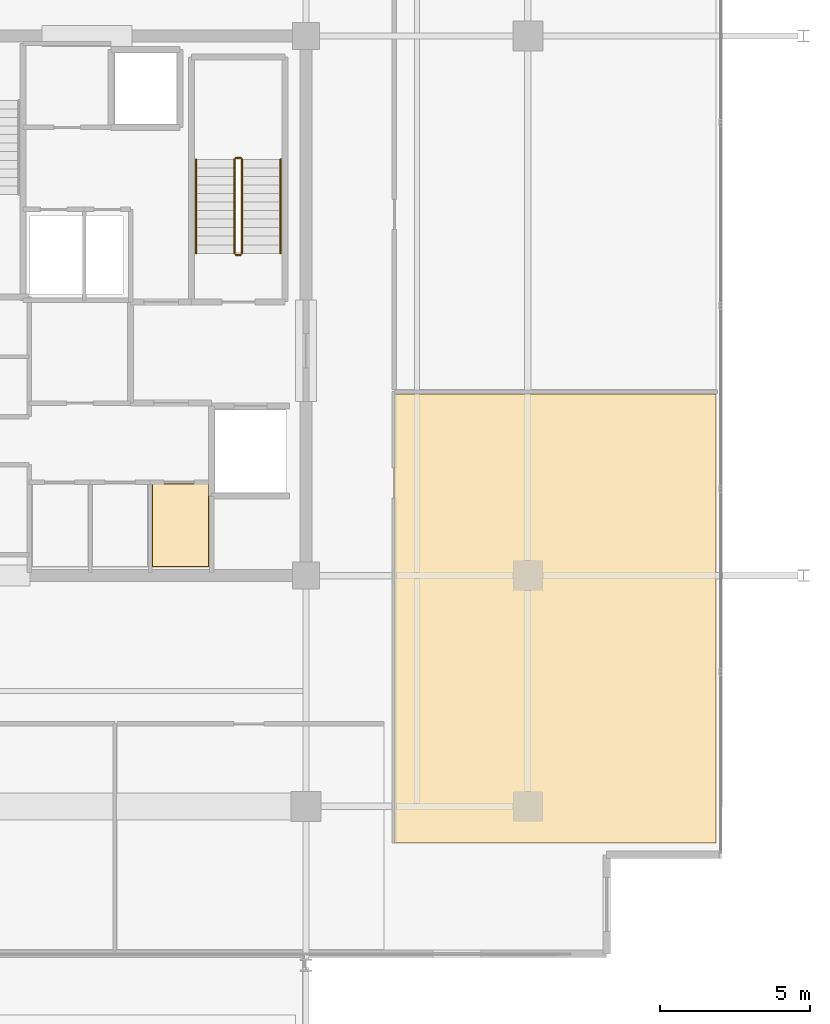
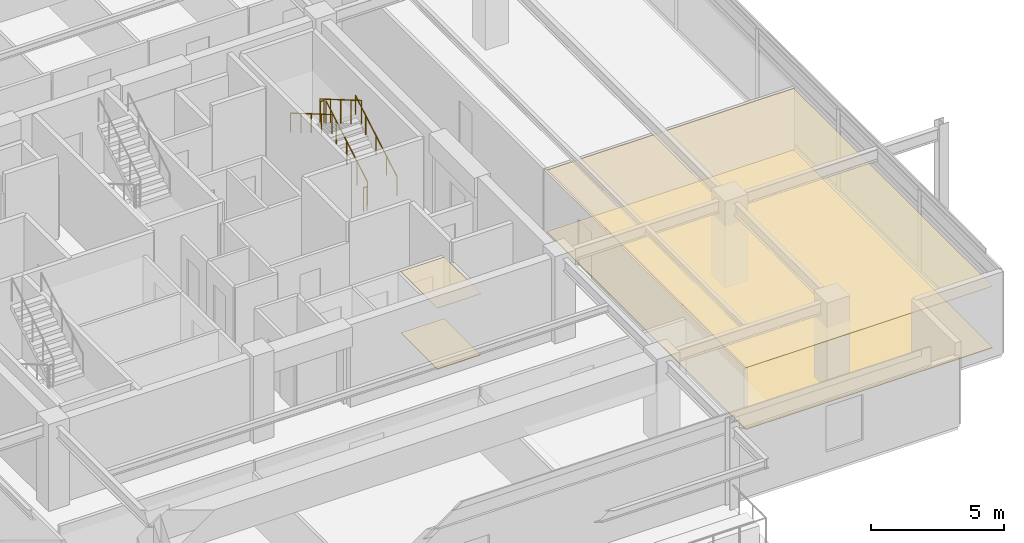
# One storey, part 19 of 20: 6 railings, 4 coverings.
"""IFC4 building model written with IfcOpenShell, lengths in metres."""

from ifc_helpers import new_model, si_unit, direction, frame, origin, origin_2d, place, context, subcontext, project, spatial, polyline, circle, outline, extrude, material, layer, layer_set, type_object, element, save


model = new_model("IFC4")

# Units and contexts
model_context = context("Model", 3, precision=1e-05, world=origin(), true_north=direction((0.0, 1.0)))
body_context = subcontext(model_context, "Body", "Model", "MODEL_VIEW")
ifc_project = project(units=[si_unit("LENGTHUNIT", "METRE"), si_unit("AREAUNIT", "SQUARE_METRE"), si_unit("VOLUMEUNIT", "CUBIC_METRE"), si_unit("PLANEANGLEUNIT", "RADIAN"), si_unit("MASSUNIT", "GRAM", prefix="KILO")], contexts=[model_context])

# Site, building, storey
site_placement = place(None, origin())
site = spatial("IfcSite", under=ifc_project, at=site_placement, CompositionType="ELEMENT")
building_placement = place(site_placement, origin())
building = spatial("IfcBuilding", under=site, at=building_placement, Name="Kovane Verandah Tower", CompositionType="ELEMENT")
storey_placement = place(building_placement, frame((0.0, 0.0, 318.800048828125)))
storey = spatial("IfcBuildingStorey", under=building, at=storey_placement, Name="L74", CompositionType="ELEMENT", Elevation=318.800048828125)

# Coverings
ifc_material_1 = material(Name="Perforated Acoustic Mineral-Fibre Ceiling Tile", Category="gypsum")
ifc_layer_1 = layer(ifc_material_1, 0.02490234375)
ifc_layer_set_1 = layer_set([ifc_layer_1], Name="Perforated Acoustic Mineral-Fibre Ceiling Tile")
covering_type_1 = type_object("IfcCoveringType", Name="CV-CEIL-25", PredefinedType="CEILING", material=ifc_layer_set_1)
covering_1_placement = place(storey_placement, frame((0.0, 0.0, 2.824951171875)))
element("IfcCovering", 1, at=covering_1_placement, inside=storey, type_object=covering_type_1, Name="L74 Quiet Wellness Room Acoustic Ceiling", PredefinedType="CEILING", context=body_context, shape_type="SweptSolid", body=[
    extrude(outline(polyline([(45.864990234375, 18.784912109375), (47.764892578125, 18.784912109375), (47.764892578125, 21.56494140625), (45.864990234375, 21.56494140625), (45.864990234375, 18.784912109375)])), origin(), (0.0, 0.0, 1.0), 0.02490234375),
])
covering_2_placement = place(storey_placement, frame((0.0, 0.0, 2.824951171875)))
element("IfcCovering", 2, at=covering_2_placement, inside=storey, type_object=covering_type_1, Name="L74 Document and Print Room E1 Acoustic Ceiling", PredefinedType="CEILING", context=body_context, shape_type="SweptSolid", body=[
    extrude(outline(polyline([(53.949951171875, 9.584228515625), (64.681396484375, 9.584228515625), (64.681396484375, 24.5634765625), (53.949951171875, 24.5634765625), (53.949951171875, 9.584228515625)])), origin(), (0.0, 0.0, 1.0), 0.02490234375),
])
ifc_material_2 = material(Name="Polished Terrazzo and Raised-Access Carpet Tile Finish", Category="concrete")
ifc_layer_2 = layer(ifc_material_2, 0.030029296875)
ifc_layer_set_2 = layer_set([ifc_layer_2], Name="Polished Terrazzo and Raised-Access Carpet Tile Finish")
covering_type_2 = type_object("IfcCoveringType", Name="CV-FLOR-30", PredefinedType="FLOORING", material=ifc_layer_set_2)
covering_3_placement = place(storey_placement, origin())
element("IfcCovering", 3, at=covering_3_placement, inside=storey, type_object=covering_type_2, Name="L74 Quiet Wellness Room Floor Finish", PredefinedType="FLOORING", context=body_context, shape_type="SweptSolid", body=[
    extrude(outline(polyline([(45.8798828125, 18.800048828125), (47.75, 18.800048828125), (47.75, 21.550048828125), (45.8798828125, 21.550048828125), (45.8798828125, 18.800048828125)])), origin(), (0.0, 0.0, 1.0), 0.030029296875),
])
covering_4_placement = place(storey_placement, origin())
element("IfcCovering", 4, at=covering_4_placement, inside=storey, type_object=covering_type_2, Name="L74 Document and Print Room E1 Floor Finish", PredefinedType="FLOORING", context=body_context, shape_type="SweptSolid", body=[
    extrude(outline(polyline([(53.949951171875, 9.584228515625), (64.681396484375, 9.584228515625), (64.681396484375, 24.5634765625), (53.949951171875, 24.5634765625), (53.949951171875, 9.584228515625)])), origin(), (0.0, 0.0, 1.0), 0.030029296875),
])

# Railings
ifc_material_3 = material(Name="Brushed Stainless Steel Handrail", Category="steel")
railing_type_1 = type_object("IfcRailingType", Name="RL-HAND-920", PredefinedType="HANDRAIL", material=ifc_material_3)
railing_1_placement = place(storey_placement, frame((50.14990234375, 29.25, 0.16650390625)))
element("IfcRailing", 5, at=railing_1_placement, inside=storey, type_object=railing_type_1, Name="L74 ST-02 stair handrail 1", PredefinedType="HANDRAIL", context=body_context, shape_type="SweptSolid", body=[
    extrude(circle(Radius=0.02392578125, at=origin_2d()), frame((0.0, 0.0, 0.8759765625), z_axis=(0.0, 0.863210265497, 0.504844567704), x_axis=(-1.0, 0.0, 0.0)), (0.0, 0.0, 1.0), 3.6318359375),
    extrude(circle(Radius=0.02099609375, at=origin_2d()), origin(), (0.0, 0.0, 1.0), 0.851806640625),
    extrude(circle(Radius=0.02099609375, at=origin_2d()), frame((0.0, 0.78369140625, 0.45849609375)), (0.0, 0.0, 1.0), 0.851806640625),
    extrude(circle(Radius=0.02099609375, at=origin_2d()), frame((0.0, 1.5673828125, 0.916748046875)), (0.0, 0.0, 1.0), 0.851806640625),
    extrude(circle(Radius=0.02099609375, at=origin_2d()), frame((0.0, 2.351318359375, 1.375)), (0.0, 0.0, 1.0), 0.851806640625),
    extrude(circle(Radius=0.02099609375, at=origin_2d()), frame((0.0, 3.135009765625, 1.83349609375)), (0.0, 0.0, 1.0), 0.851806640625),
])
railing_2_placement = place(storey_placement, frame((47.330078125, 32.385009765625, 2.16650390625)))
element("IfcRailing", 6, at=railing_2_placement, inside=storey, type_object=railing_type_1, Name="L74 ST-02 stair handrail 2", PredefinedType="HANDRAIL", context=body_context, shape_type="SweptSolid", body=[
    extrude(circle(Radius=0.02392578125, at=origin_2d()), frame((0.0, 0.0, 0.8759765625), z_axis=(0.0, -0.863210265497, 0.504844567704), x_axis=(1.0, 0.0, 0.0)), (0.0, 0.0, 1.0), 3.6318359375),
    extrude(circle(Radius=0.02099609375, at=origin_2d()), origin(), (0.0, 0.0, 1.0), 0.851806640625),
    extrude(circle(Radius=0.02099609375, at=origin_2d()), frame((0.0, -0.78369140625, 0.45849609375)), (0.0, 0.0, 1.0), 0.851806640625),
    extrude(circle(Radius=0.02099609375, at=origin_2d()), frame((0.0, -1.5673828125, 0.916748046875)), (0.0, 0.0, 1.0), 0.851806640625),
    extrude(circle(Radius=0.02099609375, at=origin_2d()), frame((0.0, -2.351318359375, 1.375)), (0.0, 0.0, 1.0), 0.851806640625),
    extrude(circle(Radius=0.02099609375, at=origin_2d()), frame((0.0, -3.135009765625, 1.83349609375)), (0.0, 0.0, 1.0), 0.851806640625),
])
ifc_material_4 = material(Name="Painted Steel Stairwell Guardrail", Category="steel")
railing_type_2 = type_object("IfcRailingType", Name="RL-STGUARD-1120", PredefinedType="GUARDRAIL", material=ifc_material_4)
railing_3_placement = place(storey_placement, frame((48.8701171875, 29.25, 0.16650390625)))
element("IfcRailing", 7, at=railing_3_placement, inside=storey, type_object=railing_type_2, Name="L74 ST-02 stair guard 1", PredefinedType="GUARDRAIL", context=body_context, shape_type="SweptSolid", body=[
    extrude(circle(Radius=0.02392578125, at=origin_2d()), frame((0.0, 0.0, 1.076171875), z_axis=(0.0, 0.863210265497, 0.504844567704), x_axis=(-1.0, 0.0, 0.0)), (0.0, 0.0, 1.0), 3.6318359375),
    extrude(circle(Radius=0.02099609375, at=origin_2d()), origin(), (0.0, 0.0, 1.0), 1.052001953125),
    extrude(circle(Radius=0.02099609375, at=origin_2d()), frame((0.0, 0.78369140625, 0.45849609375)), (0.0, 0.0, 1.0), 1.052001953125),
    extrude(circle(Radius=0.02099609375, at=origin_2d()), frame((0.0, 1.5673828125, 0.916748046875)), (0.0, 0.0, 1.0), 1.052001953125),
    extrude(circle(Radius=0.02099609375, at=origin_2d()), frame((0.0, 2.351318359375, 1.375)), (0.0, 0.0, 1.0), 1.052001953125),
    extrude(circle(Radius=0.02099609375, at=origin_2d()), frame((0.0, 3.135009765625, 1.83349609375)), (0.0, 0.0, 1.0), 1.052001953125),
])
railing_4_placement = place(storey_placement, frame((48.820068359375, 32.43505859375, 2.0)))
element("IfcRailing", 8, at=railing_4_placement, inside=storey, type_object=railing_type_2, Name="L74 ST-02 stair guard 2", PredefinedType="GUARDRAIL", context=body_context, shape_type="SweptSolid", body=[
    extrude(circle(Radius=0.02392578125, at=origin_2d()), frame((0.0, 0.0, 1.076171875), z_axis=(-1.0, 0.0, 0.0), x_axis=(0.0, -1.0, 0.0)), (0.0, 0.0, 1.0), 0.16015625),
    extrude(circle(Radius=0.02099609375, at=origin_2d()), origin(), (0.0, 0.0, 1.0), 1.052001953125),
    extrude(circle(Radius=0.02099609375, at=origin_2d()), frame((-0.16015625, 0.0, 0.0)), (0.0, 0.0, 1.0), 1.052001953125),
])
railing_5_placement = place(storey_placement, frame((48.610107421875, 32.385009765625, 2.16650390625)))
element("IfcRailing", 9, at=railing_5_placement, inside=storey, type_object=railing_type_2, Name="L74 ST-02 stair guard 3", PredefinedType="GUARDRAIL", context=body_context, shape_type="SweptSolid", body=[
    extrude(circle(Radius=0.02392578125, at=origin_2d()), frame((0.0, 0.0, 1.076171875), z_axis=(0.0, -0.863210265497, 0.504844567704), x_axis=(1.0, 0.0, 0.0)), (0.0, 0.0, 1.0), 3.6318359375),
    extrude(circle(Radius=0.02099609375, at=origin_2d()), origin(), (0.0, 0.0, 1.0), 1.052001953125),
    extrude(circle(Radius=0.02099609375, at=origin_2d()), frame((0.0, -0.78369140625, 0.45849609375)), (0.0, 0.0, 1.0), 1.052001953125),
    extrude(circle(Radius=0.02099609375, at=origin_2d()), frame((0.0, -1.5673828125, 0.916748046875)), (0.0, 0.0, 1.0), 1.052001953125),
    extrude(circle(Radius=0.02099609375, at=origin_2d()), frame((0.0, -2.351318359375, 1.375)), (0.0, 0.0, 1.0), 1.052001953125),
    extrude(circle(Radius=0.02099609375, at=origin_2d()), frame((0.0, -3.135009765625, 1.83349609375)), (0.0, 0.0, 1.0), 1.052001953125),
])
railing_6_placement = place(storey_placement, frame((48.820068359375, 29.199951171875, 0.0)))
element("IfcRailing", 10, at=railing_6_placement, inside=storey, type_object=railing_type_2, Name="L74 ST-02 stair guard 4", PredefinedType="GUARDRAIL", context=body_context, shape_type="SweptSolid", body=[
    extrude(circle(Radius=0.02392578125, at=origin_2d()), frame((0.0, 0.0, 1.076171875), z_axis=(-1.0, 0.0, 0.0), x_axis=(0.0, -1.0, 0.0)), (0.0, 0.0, 1.0), 0.16015625),
    extrude(circle(Radius=0.02099609375, at=origin_2d()), origin(), (0.0, 0.0, 1.0), 1.052001953125),
    extrude(circle(Radius=0.02099609375, at=origin_2d()), frame((-0.16015625, 0.0, 0.0)), (0.0, 0.0, 1.0), 1.052001953125),
])

save(model, "model.ifc")
